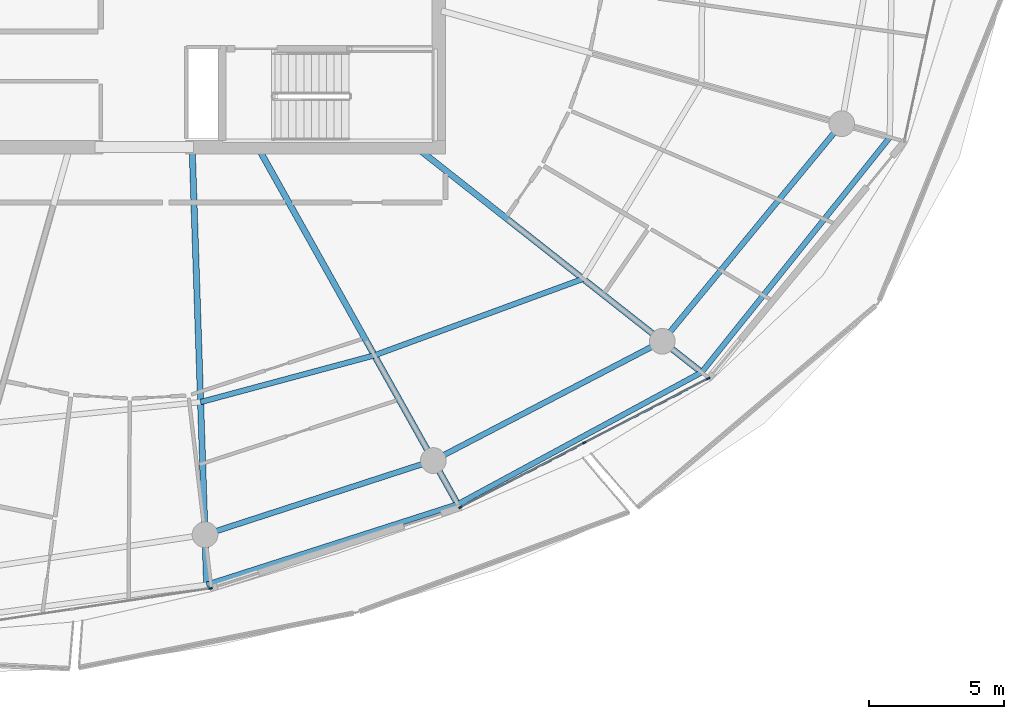
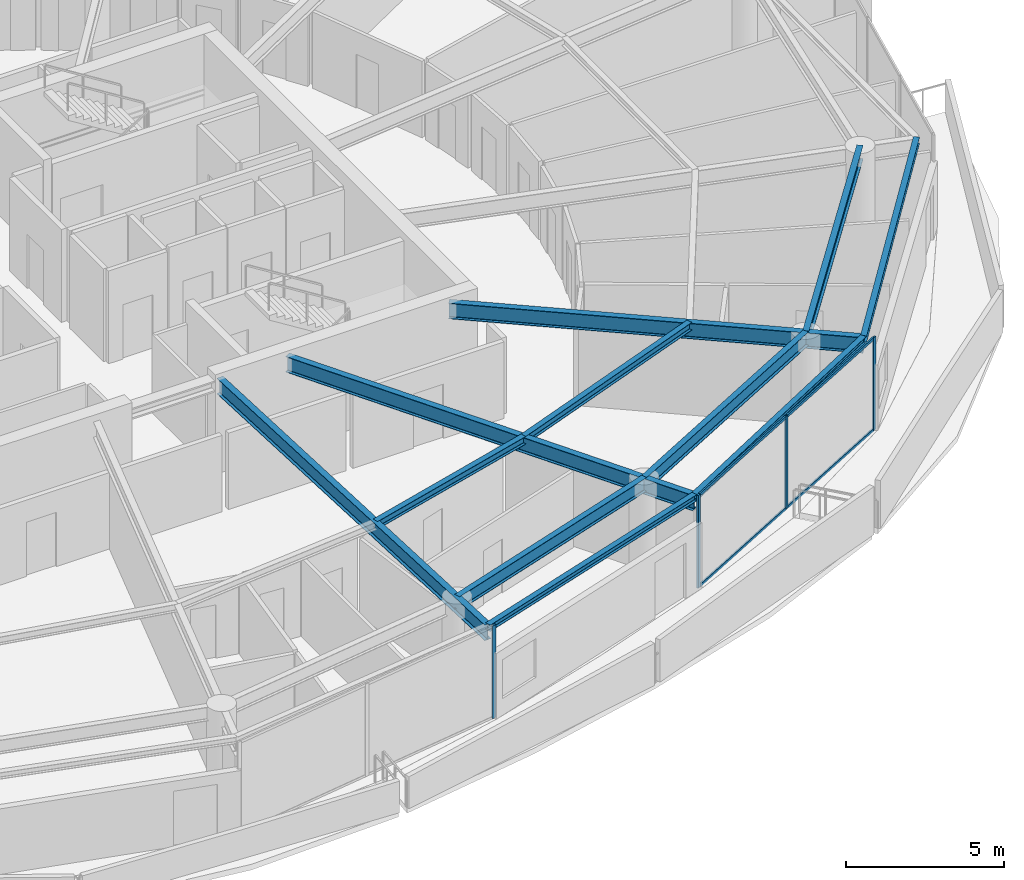
# One storey, part 8 of 29: 11 beams, 8 members, 2 elements without a shape of their own.
"""IFC4 building model written with IfcOpenShell, lengths in metres."""

from ifc_helpers import new_model, si_unit, direction, frame, origin, origin_2d, place, context, subcontext, project, spatial, rectangle, i_section, extrude, material, layer, layer_set, material_profile, profile_set, type_object, element, aggregate, save


model = new_model("IFC4")

# Units and contexts
model_context = context("Model", 3, precision=1e-05, world=origin(), true_north=direction((0.0, 1.0)))
body_context = subcontext(model_context, "Body", "Model", "MODEL_VIEW")
ifc_project = project(units=[si_unit("LENGTHUNIT", "METRE"), si_unit("AREAUNIT", "SQUARE_METRE"), si_unit("VOLUMEUNIT", "CUBIC_METRE"), si_unit("PLANEANGLEUNIT", "RADIAN"), si_unit("MASSUNIT", "GRAM", prefix="KILO")], contexts=[model_context])

# Site, building, storey
site_placement = place(None, origin())
site = spatial("IfcSite", under=ifc_project, at=site_placement, CompositionType="ELEMENT")
building_placement = place(site_placement, origin())
building = spatial("IfcBuilding", under=site, at=building_placement, Name="Kazma Halo Residences", CompositionType="ELEMENT")
storey_placement = place(building_placement, frame((0.0, 0.0, 286.75)))
storey = spatial("IfcBuildingStorey", under=building, at=storey_placement, Name="L72", CompositionType="ELEMENT", Elevation=286.75)

# Beams
ifc_material_1 = material(Name="Steel S355", Category="steel")
ifc_material_profile_1 = material_profile(ifc_material_1, i_section(OverallWidth=0.201904296875, OverallDepth=0.2470703125, WebThickness=0.00732421875, FlangeThickness=0.010986328125, FilletRadius=0.011962890625, at=origin_2d()), Name="W250x49.1")
ifc_profile_set_1 = profile_set([ifc_material_profile_1], Name="Steel S355")
beam_type_1 = type_object("IfcBeamType", Name="BM-BAL-CANT", PredefinedType="BEAM", material=ifc_profile_set_1)
beam_1_placement = place(storey_placement, frame((50.732666015625, 17.580078125, 3.466552734375), z_axis=(0.952222879483, 0.305403974742, 0.0), x_axis=(-0.305403974742, 0.952222879483, 0.0)))
element("IfcBeam", 1, at=beam_1_placement, inside=storey, type_object=beam_type_1, Name="L72 wave-balcony tie beam 12", PredefinedType="BEAM", context=body_context, shape_type="SweptSolid", body=[
    extrude(i_section(OverallWidth=0.201904296875, OverallDepth=0.2470703125, WebThickness=0.00732421875, FlangeThickness=0.010986328125, FilletRadius=0.011962890625, at=origin_2d()), origin(), (0.0, 0.0, 1.0), 9.742431640625),
])
beam_2_placement = place(storey_placement, frame((60.009521484375, 20.555419921875, 3.466552734375), z_axis=(0.879517282036, 0.475866946321, 0.0), x_axis=(-0.475866946321, 0.879517282036, 0.0)))
element("IfcBeam", 2, at=beam_2_placement, inside=storey, type_object=beam_type_1, Name="L72 wave-balcony tie beam 13", PredefinedType="BEAM", context=body_context, shape_type="SweptSolid", body=[
    extrude(i_section(OverallWidth=0.201904296875, OverallDepth=0.2470703125, WebThickness=0.00732421875, FlangeThickness=0.010986328125, FilletRadius=0.011962890625, at=origin_2d()), origin(), (0.0, 0.0, 1.0), 10.243408203125),
])
beam_3_placement = place(storey_placement, frame((69.018798828125, 25.429931640625, 3.466552734375), z_axis=(0.625117912406, 0.780530329705, 0.0), x_axis=(-0.780530329705, 0.625117912406, 0.0)))
element("IfcBeam", 3, at=beam_3_placement, inside=storey, type_object=beam_type_1, Name="L72 wave-balcony tie beam 14", PredefinedType="BEAM", context=body_context, shape_type="SweptSolid", body=[
    extrude(i_section(OverallWidth=0.201904296875, OverallDepth=0.2470703125, WebThickness=0.00732421875, FlangeThickness=0.010986328125, FilletRadius=0.011962890625, at=origin_2d()), origin(), (0.0, 0.0, 1.0), 11.1220703125),
])
ifc_material_profile_2 = material_profile(ifc_material_1, i_section(OverallWidth=0.22802734375, OverallDepth=0.60791015625, WebThickness=0.01123046875, FlangeThickness=0.017333984375, FilletRadius=0.01806640625, at=origin_2d()), Name="W610x113")
ifc_profile_set_2 = profile_set([ifc_material_profile_2], Name="Steel S355")
beam_type_2 = type_object("IfcBeamType", Name="BM-RAD-W610", PredefinedType="BEAM", material=ifc_profile_set_2)
beam_4_placement = place(storey_placement, frame((50.199951171875, 33.64990234375, 3.285888671875), z_axis=(0.033131810975, -0.999450990845, 0.0), x_axis=(0.999450990845, 0.033131810975, 0.0)))
element("IfcBeam", 4, at=beam_4_placement, inside=storey, type_object=beam_type_2, Name="L72 radial floor beam 12", PredefinedType="BEAM", context=body_context, shape_type="SweptSolid", body=[
    extrude(i_section(OverallWidth=0.22802734375, OverallDepth=0.60791015625, WebThickness=0.01123046875, FlangeThickness=0.017333984375, FilletRadius=0.01806640625, at=origin_2d()), origin(), (0.0, 0.0, 1.0), 16.07861328125),
])
beam_5_placement = place(storey_placement, frame((52.67626953125, 33.64990234375, 3.285888671875), z_axis=(0.488620706085, -0.872496306918, 0.0), x_axis=(0.872496306918, 0.488620706085, 0.0)))
element("IfcBeam", 5, at=beam_5_placement, inside=storey, type_object=beam_type_2, Name="L72 radial floor beam 13", PredefinedType="BEAM", context=body_context, shape_type="SweptSolid", body=[
    extrude(i_section(OverallWidth=0.22802734375, OverallDepth=0.60791015625, WebThickness=0.01123046875, FlangeThickness=0.017333984375, FilletRadius=0.01806640625, at=origin_2d()), origin(), (0.0, 0.0, 1.0), 15.008056640625),
])
beam_6_placement = place(storey_placement, frame((58.591796875, 33.64990234375, 3.285888671875), z_axis=(0.785317474283, -0.619093260007, 0.0), x_axis=(0.619093260007, 0.785317474283, 0.0)))
element("IfcBeam", 6, at=beam_6_placement, inside=storey, type_object=beam_type_2, Name="L72 radial floor beam 14", PredefinedType="BEAM", context=body_context, shape_type="SweptSolid", body=[
    extrude(i_section(OverallWidth=0.22802734375, OverallDepth=0.60791015625, WebThickness=0.01123046875, FlangeThickness=0.017333984375, FilletRadius=0.01806640625, at=origin_2d()), origin(), (0.0, 0.0, 1.0), 13.27734375),
])
ifc_material_profile_3 = material_profile(ifc_material_1, i_section(OverallWidth=0.202880859375, OverallDepth=0.302978515625, WebThickness=0.007568359375, FlangeThickness=0.01318359375, FilletRadius=0.013916015625, at=origin_2d()), Name="W310x60")
ifc_profile_set_3 = profile_set([ifc_material_profile_3], Name="Steel S355")
beam_type_3 = type_object("IfcBeamType", Name="BM-SEC-W310A", PredefinedType="JOIST", material=ifc_profile_set_3)
beam_7_placement = place(storey_placement, frame((50.509033203125, 24.32958984375, 3.4384765625), z_axis=(0.965728418457, 0.259554660493, 0.0), x_axis=(-0.259554660493, 0.965728418457, 0.0)))
element("IfcBeam", 7, at=beam_7_placement, inside=storey, type_object=beam_type_3, Name="L72 circumferential floor joist 12", PredefinedType="JOIST", context=body_context, shape_type="SweptSolid", body=[
    extrude(i_section(OverallWidth=0.202880859375, OverallDepth=0.302978515625, WebThickness=0.007568359375, FlangeThickness=0.01318359375, FilletRadius=0.013916015625, at=origin_2d()), origin(), (0.0, 0.0, 1.0), 6.648193359375),
])
beam_8_placement = place(storey_placement, frame((56.929443359375, 26.05517578125, 3.4384765625), z_axis=(0.938873433212, 0.344262510896, 0.0), x_axis=(-0.344262510896, 0.938873433212, 0.0)))
element("IfcBeam", 8, at=beam_8_placement, inside=storey, type_object=beam_type_3, Name="L72 circumferential floor joist 13", PredefinedType="JOIST", context=body_context, shape_type="SweptSolid", body=[
    extrude(i_section(OverallWidth=0.202880859375, OverallDepth=0.302978515625, WebThickness=0.007568359375, FlangeThickness=0.01318359375, FilletRadius=0.013916015625, at=origin_2d()), origin(), (0.0, 0.0, 1.0), 8.212158203125),
])
ifc_material_profile_4 = material_profile(ifc_material_1, i_section(OverallWidth=0.208984375, OverallDepth=0.532958984375, WebThickness=0.01025390625, FlangeThickness=0.015625, FilletRadius=0.01611328125, at=origin_2d()), Name="W530x92")
ifc_profile_set_4 = profile_set([ifc_material_profile_4], Name="Steel S355")
beam_type_4 = type_object("IfcBeamType", Name="BM-SPN-W530", PredefinedType="BEAM", material=ifc_profile_set_4)
beam_9_placement = place(storey_placement, frame((50.67138671875, 19.42919921875, 3.323486328125), z_axis=(0.951053893407, 0.309025066679, 0.0), x_axis=(-0.309025066679, 0.951053893407, 0.0)))
element("IfcBeam", 9, at=beam_9_placement, inside=storey, type_object=beam_type_4, Name="L72 perimeter ring beam 12", PredefinedType="BEAM", context=body_context, shape_type="SweptSolid", body=[
    extrude(i_section(OverallWidth=0.208984375, OverallDepth=0.532958984375, WebThickness=0.01025390625, FlangeThickness=0.015625, FilletRadius=0.01611328125, at=origin_2d()), origin(), (0.0, 0.0, 1.0), 8.8681640625),
])
beam_10_placement = place(storey_placement, frame((59.10546875, 22.169677734375, 3.323486328125), z_axis=(0.886961047115, 0.461844238788, 0.0), x_axis=(-0.461844238788, 0.886961047115, 0.0)))
element("IfcBeam", 10, at=beam_10_placement, inside=storey, type_object=beam_type_4, Name="L72 perimeter ring beam 13", PredefinedType="BEAM", context=body_context, shape_type="SweptSolid", body=[
    extrude(i_section(OverallWidth=0.208984375, OverallDepth=0.532958984375, WebThickness=0.01025390625, FlangeThickness=0.015625, FilletRadius=0.01611328125, at=origin_2d()), origin(), (0.0, 0.0, 1.0), 9.5390625),
])
beam_11_placement = place(storey_placement, frame((67.566162109375, 26.5751953125, 3.323486328125), z_axis=(0.636002144225, 0.771687289348, 0.0), x_axis=(-0.771687289348, 0.636002144225, 0.0)))
element("IfcBeam", 11, at=beam_11_placement, inside=storey, type_object=beam_type_4, Name="L72 perimeter ring beam 14", PredefinedType="BEAM", context=body_context, shape_type="SweptSolid", body=[
    extrude(i_section(OverallWidth=0.208984375, OverallDepth=0.532958984375, WebThickness=0.01025390625, FlangeThickness=0.015625, FilletRadius=0.01611328125, at=origin_2d()), origin(), (0.0, 0.0, 1.0), 10.416259765625),
])

# Curtain wall, member
ifc_material_2 = material(Name="Aluminium AW-6063 T6 and Triple-Silver Low-E Glass", Category="aluminium")
ifc_layer = layer(ifc_material_2, 0.139892578125)
ifc_layer_set = layer_set([ifc_layer], Name="Aluminium AW-6063 T6 and Triple-Silver Low-E Glass")
curtain_wall_type = type_object("IfcCurtainWallType", Name="CW-SYS-5", PredefinedType="NOTDEFINED", material=ifc_layer_set)
curtain_wall_1_placement = place(storey_placement, origin())
curtain_wall_1 = element("IfcCurtainWall", 12, at=curtain_wall_1_placement, inside=storey, type_object=curtain_wall_type, Name="L72 unitised curtain wall B11", PredefinedType="NOTDEFINED")
ifc_material_3 = material(Name="Aluminium AW-6063 T6", Category="aluminium")
ifc_material_profile_5 = material_profile(ifc_material_3, rectangle(XDim=0.06005859375, YDim=0.139892578125, at=origin_2d()), Name="CWM-60x140")
ifc_profile_set_5 = profile_set([ifc_material_profile_5], Name="Aluminium AW-6063 T6")
member_type_1 = type_object("IfcMemberType", Name="CW-SYS-5-MUL", PredefinedType="MULLION", material=ifc_profile_set_5)
member_1_placement = place(storey_placement, frame((50.875732421875, 17.447265625, 0.0), z_axis=(0.0, 0.0, 1.0), x_axis=(-0.148697080374, 0.988882792998, 0.0)))
member_1 = element("IfcMember", 13, at=member_1_placement, type_object=member_type_1, Name="CWS-5 mullion 3", PredefinedType="MULLION", context=body_context, shape_type="SweptSolid", body=[
    extrude(rectangle(XDim=0.06005859375, YDim=0.139892578125, at=origin_2d()), origin(), (0.0, 0.0, 1.0), 3.590087890625),
])
aggregate(curtain_wall_1, [member_1])

# Curtain wall, members
curtain_wall_2_placement = place(storey_placement, origin())
curtain_wall_2 = element("IfcCurtainWall", 14, at=curtain_wall_2_placement, inside=storey, type_object=curtain_wall_type, Name="L72 unitised curtain wall B13", PredefinedType="NOTDEFINED")
member_2_placement = place(storey_placement, frame((60.105224609375, 20.446044921875, 0.0), z_axis=(0.0, 0.0, 1.0), x_axis=(-0.460960760804, 0.887420518694, 0.0)))
member_2 = element("IfcMember", 15, at=member_2_placement, type_object=member_type_1, Name="CWS-5 mullion 1", PredefinedType="MULLION", context=body_context, shape_type="SweptSolid", body=[
    extrude(rectangle(XDim=0.06005859375, YDim=0.139892578125, at=origin_2d()), origin(), (0.0, 0.0, 1.0), 3.590087890625),
])
member_3_placement = place(storey_placement, frame((64.68408203125, 22.824462890625, 0.0), z_axis=(0.0, 0.0, 1.0), x_axis=(-0.460960760804, 0.887420518694, 0.0)))
member_3 = element("IfcMember", 16, at=member_3_placement, type_object=member_type_1, Name="CWS-5 mullion 2", PredefinedType="MULLION", context=body_context, shape_type="SweptSolid", body=[
    extrude(rectangle(XDim=0.06005859375, YDim=0.139892578125, at=origin_2d()), origin(), (0.0, 0.0, 1.0), 3.590087890625),
])
member_4_placement = place(storey_placement, frame((69.262939453125, 25.202880859375, 0.0), z_axis=(0.0, 0.0, 1.0), x_axis=(-0.460960760804, 0.887420518694, 0.0)))
member_4 = element("IfcMember", 17, at=member_4_placement, type_object=member_type_1, Name="CWS-5 mullion 3", PredefinedType="MULLION", context=body_context, shape_type="SweptSolid", body=[
    extrude(rectangle(XDim=0.06005859375, YDim=0.139892578125, at=origin_2d()), origin(), (0.0, 0.0, 1.0), 3.590087890625),
])
ifc_material_profile_6 = material_profile(ifc_material_3, rectangle(XDim=0.06005859375, YDim=0.10498046875, at=origin_2d()), Name="CWT-60x105")
ifc_profile_set_6 = profile_set([ifc_material_profile_6], Name="Aluminium AW-6063 T6")
member_type_2 = type_object("IfcMemberType", Name="CW-SYS-5-TRN", PredefinedType="USERDEFINED", material=ifc_profile_set_6)
member_5_placement = place(storey_placement, frame((60.1318359375, 20.4599609375, 0.030029296875), z_axis=(0.887436955863, 0.46092911534, 0.0), x_axis=(-0.46092911534, 0.887436955863, 0.0)))
member_5 = element("IfcMember", 18, at=member_5_placement, type_object=member_type_2, Name="CWS-5 transom 1.1", ObjectType="TRANSOM", PredefinedType="USERDEFINED", context=body_context, shape_type="SweptSolid", body=[
    extrude(rectangle(XDim=0.06005859375, YDim=0.10498046875, at=origin_2d()), origin(), (0.0, 0.0, 1.0), 5.099609375),
])
member_6_placement = place(storey_placement, frame((60.1318359375, 20.4599609375, 3.56005859375), z_axis=(0.887436955863, 0.46092911534, 0.0), x_axis=(-0.46092911534, 0.887436955863, 0.0)))
member_6 = element("IfcMember", 19, at=member_6_placement, type_object=member_type_2, Name="CWS-5 transom 1.2", ObjectType="TRANSOM", PredefinedType="USERDEFINED", context=body_context, shape_type="SweptSolid", body=[
    extrude(rectangle(XDim=0.06005859375, YDim=0.10498046875, at=origin_2d()), origin(), (0.0, 0.0, 1.0), 5.099609375),
])
member_7_placement = place(storey_placement, frame((64.710693359375, 22.83837890625, 0.030029296875), z_axis=(0.887436955863, 0.46092911534, 0.0), x_axis=(-0.46092911534, 0.887436955863, 0.0)))
member_7 = element("IfcMember", 20, at=member_7_placement, type_object=member_type_2, Name="CWS-5 transom 2.1", ObjectType="TRANSOM", PredefinedType="USERDEFINED", context=body_context, shape_type="SweptSolid", body=[
    extrude(rectangle(XDim=0.06005859375, YDim=0.10498046875, at=origin_2d()), origin(), (0.0, 0.0, 1.0), 5.099609375),
])
member_8_placement = place(storey_placement, frame((64.710693359375, 22.83837890625, 3.56005859375), z_axis=(0.887436955863, 0.46092911534, 0.0), x_axis=(-0.46092911534, 0.887436955863, 0.0)))
member_8 = element("IfcMember", 21, at=member_8_placement, type_object=member_type_2, Name="CWS-5 transom 2.2", ObjectType="TRANSOM", PredefinedType="USERDEFINED", context=body_context, shape_type="SweptSolid", body=[
    extrude(rectangle(XDim=0.06005859375, YDim=0.10498046875, at=origin_2d()), origin(), (0.0, 0.0, 1.0), 5.099609375),
])
aggregate(curtain_wall_2, [member_2, member_3, member_4, member_5, member_6, member_7, member_8])

save(model, "model.ifc")
